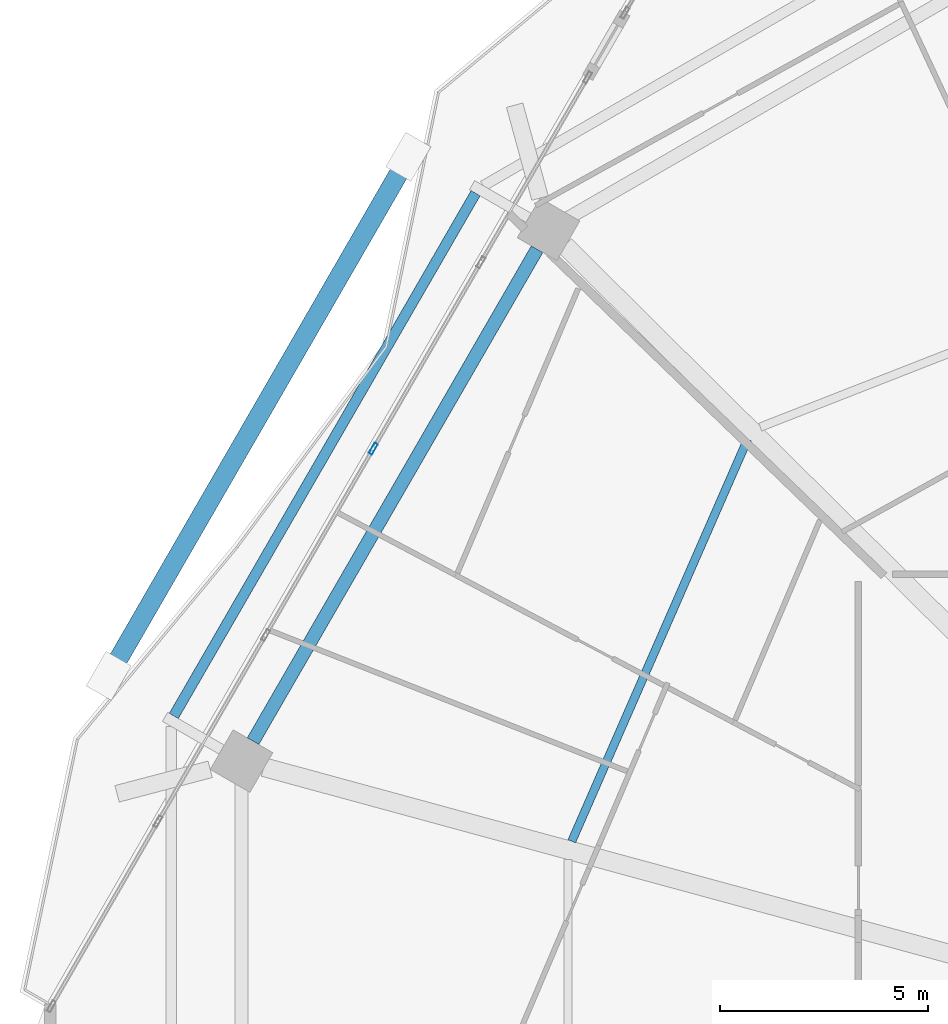
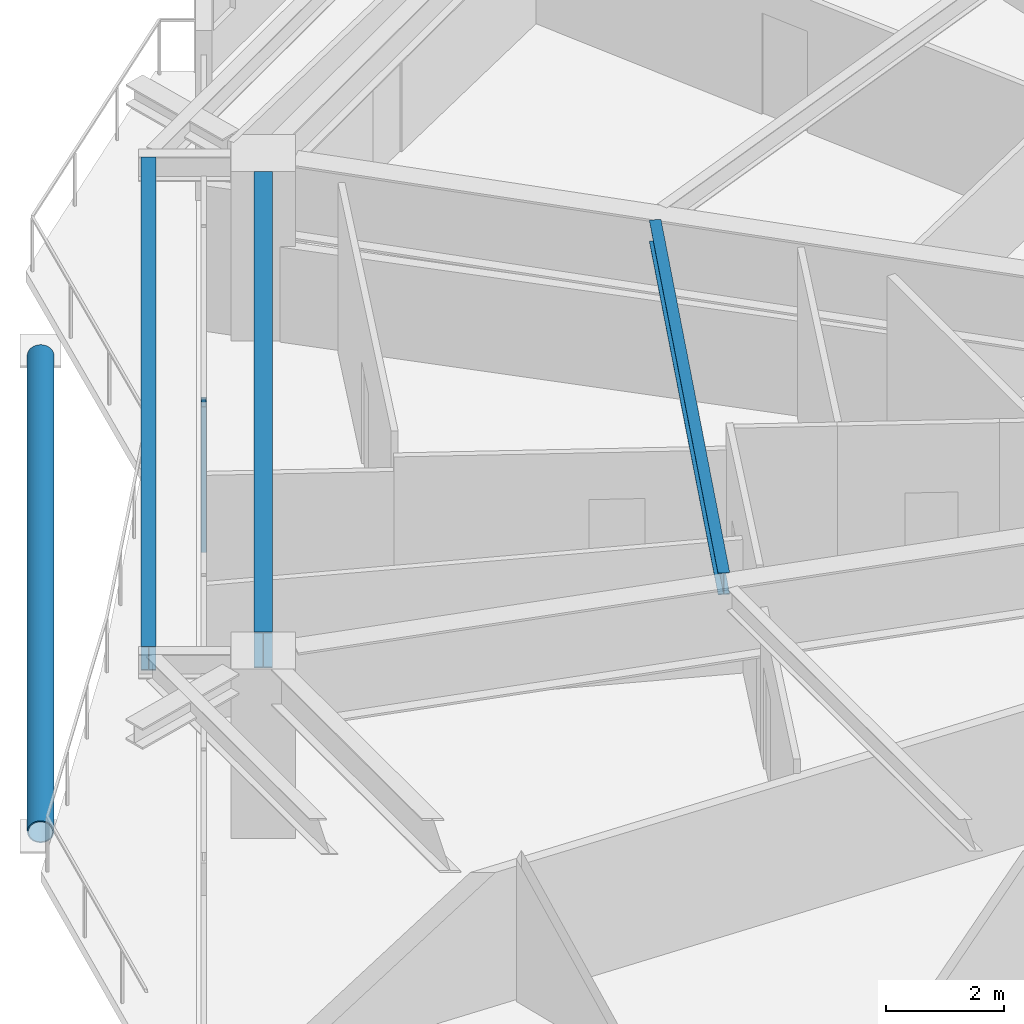
# One storey, part 15 of 33: 3 beams, 2 members, 1 element without a shape of its own.
"""IFC4 building model written with IfcOpenShell, lengths in metres."""

from ifc_helpers import new_model, si_unit, direction, frame, origin, origin_2d, place, context, subcontext, project, spatial, hollow_rectangle, hollow_circle, i_section, extrude, material, material_profile, profile_set, type_object, element, aggregate, save


model = new_model("IFC4")

# Units and contexts
model_context = context("Model", 3, precision=1e-05, world=origin(), true_north=direction((0.0, 1.0)))
body_context = subcontext(model_context, "Body", "Model", "MODEL_VIEW")
ifc_project = project(units=[si_unit("LENGTHUNIT", "METRE"), si_unit("AREAUNIT", "SQUARE_METRE"), si_unit("VOLUMEUNIT", "CUBIC_METRE"), si_unit("PLANEANGLEUNIT", "RADIAN"), si_unit("MASSUNIT", "GRAM", prefix="KILO")], contexts=[model_context])

# Site, building, storey
site_placement = place(None, origin())
site = spatial("IfcSite", under=ifc_project, at=site_placement, CompositionType="ELEMENT")
building_placement = place(site_placement, origin())
building = spatial("IfcBuilding", under=site, at=building_placement, Name="Zuhravey Tower", CompositionType="ELEMENT")
storey_placement = place(building_placement, frame((0.0, 0.0, 141.800048828125)))
storey = spatial("IfcBuildingStorey", under=building, at=storey_placement, Name="L35", CompositionType="ELEMENT", Elevation=141.800048828125)

# Curtain wall, member
ifc_material_1 = material(Name="Thermally broken anodised aluminium", Category="aluminium")
curtain_wall_type = type_object("IfcCurtainWallType", Name="Zone 1-2 Residential Curtain Wall CW3", PredefinedType="NOTDEFINED", material=ifc_material_1)
curtain_wall_placement = place(storey_placement, origin())
curtain_wall = element("IfcCurtainWall", 1, at=curtain_wall_placement, inside=storey, type_object=curtain_wall_type, Name="L35 CW3 CW-L35-F3-1", PredefinedType="NOTDEFINED")
ifc_material_2 = material(Name="Anodised aluminium", Category="aluminium")
ifc_material_profile_1 = material_profile(ifc_material_2, hollow_rectangle(XDim=0.090087890625, YDim=0.284912109375, WallThickness=0.0048828125, at=origin_2d()), Name="ALU-RHS-90x285x5")
ifc_profile_set_1 = profile_set([ifc_material_profile_1], Name="Anodised aluminium")
member_type_1 = type_object("IfcMemberType", Name="Curtain-Wall Mullion 90x180", PredefinedType="MULLION", material=ifc_profile_set_1)
member_1_placement = place(storey_placement, frame((11.273681640625, 47.08984375, 0.0), z_axis=(0.0, 0.0, 1.0), x_axis=(-0.866025507745, 0.499999819935, 0.0)))
member_1 = element("IfcMember", 2, at=member_1_placement, type_object=member_type_1, Name="CW3 mullion 4", PredefinedType="MULLION", context=body_context, shape_type="SweptSolid", body=[
    extrude(hollow_rectangle(XDim=0.090087890625, YDim=0.284912109375, WallThickness=0.0048828125, at=origin_2d()), origin(), (0.0, 0.0, 1.0), 3.02001953125),
])
aggregate(curtain_wall, [member_1])

# Member
ifc_material_3 = material(Name="Steel SM355", Category="steel")
ifc_material_profile_2 = material_profile(ifc_material_3, hollow_circle(Radius=0.228515625, WallThickness=0.02197265625, at=origin_2d()), Name="CHS-457.2x22")
ifc_profile_set_2 = profile_set([ifc_material_profile_2], Name="Steel SM355")
member_type_2 = type_object("IfcMemberType", Name="Exoskeleton Ring Tie CHS457x22", PredefinedType="CHORD", material=ifc_profile_set_2)
member_2_placement = place(storey_placement, frame((12.044921875, 53.9755859375, -0.464111328125), z_axis=(-0.499995593262, -0.866027948001, 0.0), x_axis=(0.866027948001, -0.499995593262, 0.0)))
element("IfcMember", 3, at=member_2_placement, inside=storey, type_object=member_type_2, Name="L35 Exoskeleton Face 3 Tie EXR1", PredefinedType="CHORD", context=body_context, shape_type="SweptSolid", body=[
    extrude(hollow_circle(Radius=0.228515625, WallThickness=0.02197265625, at=origin_2d()), origin(), (0.0, 0.0, 1.0), 14.107666015625),
])

# Beams
ifc_material_profile_3 = material_profile(ifc_material_3, i_section(OverallWidth=0.320068359375, OverallDepth=0.75, WebThickness=0.013916015625, FlangeThickness=0.02490234375, at=origin_2d()), Name="H-750x320x14x25")
ifc_profile_set_3 = profile_set([ifc_material_profile_3], Name="Steel SM355")
beam_type_1 = type_object("IfcBeamType", Name="Perimeter Ring Beam H750x320", PredefinedType="BEAM", material=ifc_profile_set_3)
beam_1_placement = place(storey_placement, frame((15.20458984375, 51.8779296875, 3.14501953125), z_axis=(-0.500008177929, -0.866020682204, 0.0), x_axis=(0.866020682204, -0.500008177929, 0.0)))
element("IfcBeam", 4, at=beam_1_placement, inside=storey, type_object=beam_type_1, Name="L35 PB1 BM-L35-PB-05", PredefinedType="BEAM", context=body_context, shape_type="SweptSolid", body=[
    extrude(i_section(OverallWidth=0.320068359375, OverallDepth=0.75, WebThickness=0.013916015625, FlangeThickness=0.02490234375, at=origin_2d()), origin(), (0.0, 0.0, 1.0), 13.634033203125),
])
ifc_material_profile_4 = material_profile(ifc_material_3, i_section(OverallWidth=0.199951171875, OverallDepth=0.449951171875, WebThickness=0.009033203125, FlangeThickness=0.013916015625, at=origin_2d()), Name="H-450x200x9x14")
ifc_profile_set_4 = profile_set([ifc_material_profile_4], Name="Steel SM355")
beam_type_2 = type_object("IfcBeamType", Name="Secondary Floor Joist H450x200", PredefinedType="JOIST", material=ifc_profile_set_4)
beam_2_placement = place(storey_placement, frame((20.259521484375, 47.315185546875, 3.294921875), z_axis=(-0.400792074999, -0.916169041508, 0.0), x_axis=(0.916169041508, -0.400792074999, 0.0)))
element("IfcBeam", 5, at=beam_2_placement, inside=storey, type_object=beam_type_2, Name="L35 SJ1 BM-L35-SJ-05-1", PredefinedType="JOIST", context=body_context, shape_type="SweptSolid", body=[
    extrude(i_section(OverallWidth=0.199951171875, OverallDepth=0.449951171875, WebThickness=0.009033203125, FlangeThickness=0.013916015625, at=origin_2d()), origin(), (0.0, 0.0, 1.0), 10.52978515625),
])
ifc_material_profile_5 = material_profile(ifc_material_3, i_section(OverallWidth=0.25, OverallDepth=0.5, WebThickness=0.010009765625, FlangeThickness=0.01611328125, at=origin_2d()), Name="H-500x250x10x16")
ifc_profile_set_5 = profile_set([ifc_material_profile_5], Name="Steel SM355")
beam_type_3 = type_object("IfcBeamType", Name="Tray Cantilever Spandrel H500x250", PredefinedType="SPANDREL", material=ifc_profile_set_5)
beam_3_placement = place(storey_placement, frame((13.730712890625, 53.225341796875, 3.27001953125), z_axis=(-0.500001430823, -0.866024577697, 0.0), x_axis=(0.866024577697, -0.500001430823, 0.0)))
element("IfcBeam", 6, at=beam_3_placement, inside=storey, type_object=beam_type_3, Name="L35 Sky-Tray Edge Spandrel TSB1-05", PredefinedType="SPANDREL", context=body_context, shape_type="SweptSolid", body=[
    extrude(i_section(OverallWidth=0.25, OverallDepth=0.5, WebThickness=0.010009765625, FlangeThickness=0.01611328125, at=origin_2d()), origin(), (0.0, 0.0, 1.0), 14.494140625),
])

save(model, "model.ifc")
